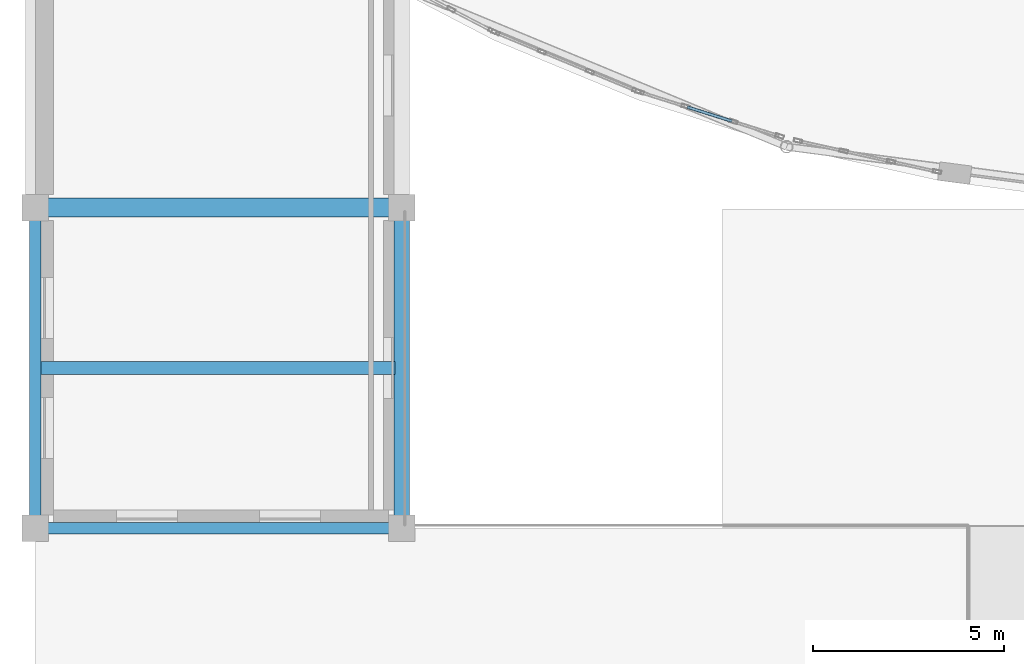
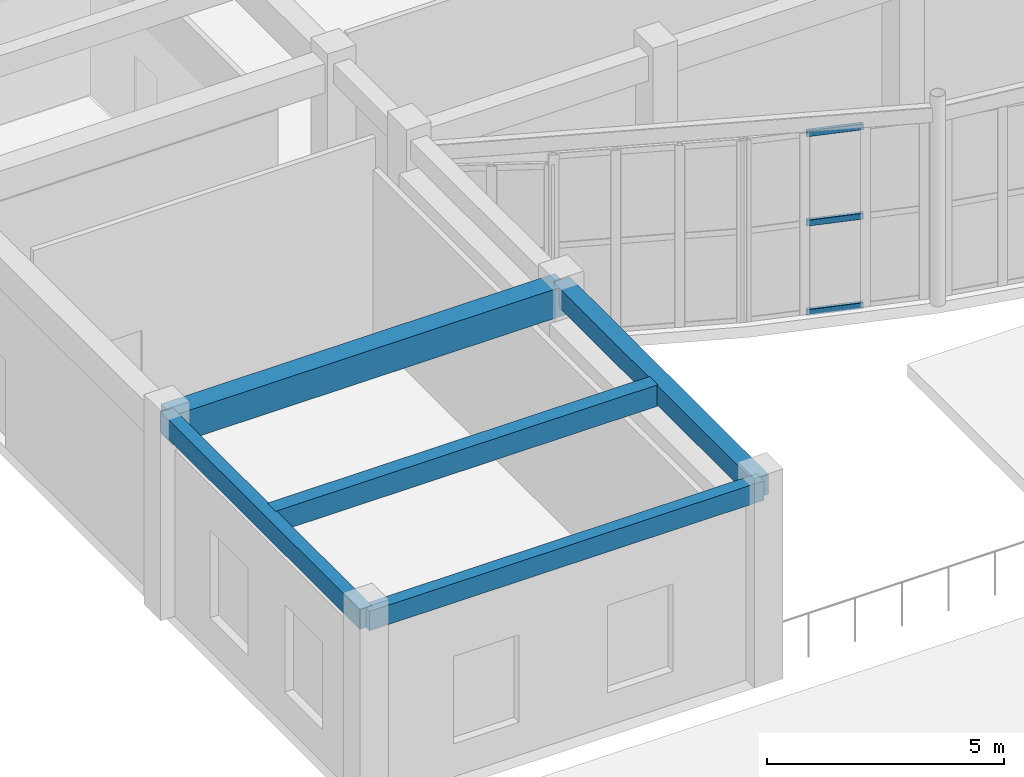
# One storey, part 6 of 98: 5 beams, 3 members, 1 element without a shape of its own.
"""IFC4 building model written with IfcOpenShell, lengths in metres."""

import ifcopenshell
import ifcopenshell.guid

model = None  # the IFC model being written
_history = None  # IfcOwnerHistory: only IFC2X3 demands one
_inside = {}  # id of a spatial element -> (the spatial element, [elements in it])
_under = {}  # id of a project, library or spatial element -> (it, [spatial elements below it])
_declared = {}  # id of a project -> (the project, [libraries it declares])
_typed = {}  # id of a type object -> (the type object, [elements of that type])
_made_of = {}  # id of a material, layer set ... -> (it, [elements and type objects made of it])


def new_model(schema):
    """Start an empty IFC model of exactly this schema.

    Asked for "IFC4X3", IfcOpenShell would pick the latest addendum, in which some entities
    have other attributes; the version numbers below select the first issue.
    IFC2X3 requires an IfcOwnerHistory on every rooted entity: one is made here for all.
    """
    global model, _history
    if schema == "IFC4X3":
        model = ifcopenshell.file(schema_version=(4, 3, 0, 0))
    else:
        model = ifcopenshell.file(schema=schema)
    _inside.clear()
    _under.clear()
    _declared.clear()
    _typed.clear()
    _made_of.clear()
    _history = None
    if model.schema == "IFC2X3":
        org = make("IfcOrganization", Name="unknown")
        user = make(
            "IfcPersonAndOrganization",
            ThePerson=make("IfcPerson", FamilyName="unknown"),
            TheOrganization=org,
        )
        app = make(
            "IfcApplication",
            ApplicationDeveloper=org,
            Version="unknown",
            ApplicationFullName="unknown",
            ApplicationIdentifier="unknown",
        )
        _history = make(
            "IfcOwnerHistory",
            OwningUser=user,
            OwningApplication=app,
            ChangeAction="ADDED",
            CreationDate=0,
        )
    return model


def make(cls, **values):
    """One entity of the class cls with the attributes given. An attribute that is None is left unset."""
    return model.create_entity(
        cls, **{name: value for name, value in values.items() if value is not None}
    )


def rooted(cls, **values):
    """An entity with a GlobalId (a new one), such as an element, a storey or a relation."""
    return make(cls, GlobalId=ifcopenshell.guid.new(), OwnerHistory=_history, **values)


def si_unit(unit_type, name, prefix=None):
    """IfcSIUnit, for example si_unit("LENGTHUNIT", "METRE", prefix="MILLI")."""
    return make("IfcSIUnit", UnitType=unit_type, Prefix=prefix, Name=name)


def assignment(units):
    """IfcUnitAssignment: the units of a project."""
    return None if units is None else make("IfcUnitAssignment", Units=units)


def point(xyz):
    """IfcCartesianPoint."""
    return None if xyz is None else make("IfcCartesianPoint", Coordinates=xyz)


def direction(xyz):
    """IfcDirection."""
    return None if xyz is None else make("IfcDirection", DirectionRatios=xyz)


def frame(location, z_axis=None, x_axis=None):
    """IfcAxis2Placement3D, a coordinate frame: its origin and axes. An axis left out is left unset."""
    return make(
        "IfcAxis2Placement3D",
        Location=point(location),
        Axis=direction(z_axis),
        RefDirection=direction(x_axis),
    )


def frame_2d(location, x_axis=None):
    """IfcAxis2Placement2D, a coordinate frame in the plane: its origin and x axis."""
    return make(
        "IfcAxis2Placement2D", Location=point(location), RefDirection=direction(x_axis)
    )


def origin():
    """The frame at (0, 0, 0) with its axes left unset."""
    return frame((0.0, 0.0, 0.0))


def origin_2d():
    """The frame at (0, 0) in the plane with its x axis left unset."""
    return frame_2d((0.0, 0.0))


def place(relative_to, where):
    """IfcLocalPlacement: puts the frame where relative to a parent placement (None: the world)."""
    return make(
        "IfcLocalPlacement", PlacementRelTo=relative_to, RelativePlacement=where
    )


def context(
    kind, dimensions, precision=None, world=None, true_north=None, identifier=None
):
    """IfcGeometricRepresentationContext, for example the 3D "Model" context."""
    return make(
        "IfcGeometricRepresentationContext",
        ContextIdentifier=identifier,
        ContextType=kind,
        CoordinateSpaceDimension=dimensions,
        Precision=precision,
        WorldCoordinateSystem=world,
        TrueNorth=true_north,
    )


def subcontext(parent, identifier, kind, view, scale=None):
    """IfcGeometricRepresentationSubContext, for example "Body" below "Model"."""
    return make(
        "IfcGeometricRepresentationSubContext",
        ContextIdentifier=identifier,
        ContextType=kind,
        ParentContext=parent,
        TargetScale=scale,
        TargetView=view,
    )


def project(units=None, contexts=None):
    """IfcProject with its units and contexts."""
    return rooted(
        "IfcProject",
        Name="project",
        RepresentationContexts=contexts,
        UnitsInContext=assignment(units),
    )


def spatial(cls, under=None, at=None, **own):
    """A site, building, storey or space (cls), placed at a placement, below another one or the project."""
    s = rooted(cls, ObjectPlacement=at, **own)
    if under is not None:
        _under.setdefault(under.id(), (under, []))[1].append(s)
    return s


def profile(cls, at=None, kind="AREA", **sizes):
    """A parametric profile (cls). Its sizes go by their IFC names, for example OverallWidth=200.0."""
    return make(cls, ProfileType=kind, Position=at, **sizes)


def rectangle(**sizes):
    """IfcRectangleProfileDef."""
    return profile("IfcRectangleProfileDef", **sizes)


def hollow_rectangle(**sizes):
    """IfcRectangleHollowProfileDef."""
    return profile("IfcRectangleHollowProfileDef", **sizes)


def extrude(swept, where, along, depth):
    """IfcExtrudedAreaSolid: the profile swept, set in the frame where, extruded along a direction by depth."""
    return make(
        "IfcExtrudedAreaSolid",
        SweptArea=swept,
        Position=where,
        ExtrudedDirection=direction(along),
        Depth=depth,
    )


def shape(context_of_items, identifier, shape_type, items):
    """IfcShapeRepresentation: the items that make up one representation, for example the "Body"."""
    return make(
        "IfcShapeRepresentation",
        ContextOfItems=context_of_items,
        RepresentationIdentifier=identifier,
        RepresentationType=shape_type,
        Items=items,
    )


def material(Name=None, Category=None):
    """IfcMaterial."""
    return make("IfcMaterial", Name=Name, Category=Category)


def layer(
    of_material, thickness, ventilated=None, Name=None, Category=None, Priority=None
):
    """IfcMaterialLayer: one layer of a wall or slab, of a material (None: an air gap)."""
    return make(
        "IfcMaterialLayer",
        Material=of_material,
        LayerThickness=thickness,
        IsVentilated=ventilated,
        Name=Name,
        Category=Category,
        Priority=Priority,
    )


def layer_set(layers, Name=None):
    """IfcMaterialLayerSet."""
    return make("IfcMaterialLayerSet", MaterialLayers=layers, LayerSetName=Name)


def material_profile(
    of_material, cross_section, Name=None, Category=None, Priority=None
):
    """IfcMaterialProfile: a cross section and its material."""
    return make(
        "IfcMaterialProfile",
        Name=Name,
        Material=of_material,
        Profile=cross_section,
        Priority=Priority,
        Category=Category,
    )


def profile_set(profiles, Name=None, composite=None):
    """IfcMaterialProfileSet."""
    return make(
        "IfcMaterialProfileSet",
        Name=Name,
        MaterialProfiles=profiles,
        CompositeProfile=composite,
    )


def made_of(thing, what):
    """Note that an element or type object is made of a material, layer set ...; save() writes the relation."""
    if what is not None:
        _made_of.setdefault(what.id(), (what, []))[1].append(thing)
    return thing


def type_object(cls, material=None, **own):
    """A type object (cls), such as IfcWallType, which elements share."""
    return made_of(rooted(cls, **own), material)


def element(
    cls,
    number,
    at=None,
    inside=None,
    cuts=None,
    type_object=None,
    material=None,
    context=None,
    identifier="Body",
    shape_type=None,
    held_by="IfcProductDefinitionShape",
    body=None,
    shapes=None,
    **own,
):
    """One element of the class cls, such as IfcWall. Its Tag is "e" and its number.

    at: its placement. inside: the storey or other place that contains it. cuts: it is an
    opening in that element (IfcRelVoidsElement). A single representation is given by context,
    identifier, shape_type and body (its items); several are given by shapes. held_by: the class
    of the entity that holds the representations. save() writes the other relations.
    """
    e = rooted(cls, Tag="e%d" % number, ObjectPlacement=at, **own)
    if body is not None:
        shapes = [shape(context, identifier, shape_type, body)]
    if shapes is not None:
        e.Representation = make(held_by, Representations=shapes)
    if inside is not None:
        _inside.setdefault(inside.id(), (inside, []))[1].append(e)
    if cuts is not None:
        rooted(
            "IfcRelVoidsElement", RelatingBuildingElement=cuts, RelatedOpeningElement=e
        )
    if type_object is not None:
        _typed.setdefault(type_object.id(), (type_object, []))[1].append(e)
    return made_of(e, material)


def aggregate(whole, parts):
    """IfcRelAggregates: a whole, such as a stair, and the parts it consists of."""
    return rooted("IfcRelAggregates", RelatingObject=whole, RelatedObjects=parts)


def save(model, path):
    """Write the relations noted so far, then the file.

    IfcRelAggregates (storeys below a building ...), IfcRelContainedInSpatialStructure (elements
    in a storey), IfcRelDefinesByType, IfcRelAssociatesMaterial and IfcRelDeclares: one each for
    every whole, place, type object, material and project.
    """
    for whole, parts in _under.values():
        aggregate(whole, parts)
    for where, things in _inside.values():
        rooted(
            "IfcRelContainedInSpatialStructure",
            RelatedElements=things,
            RelatingStructure=where,
        )
    for kind, things in _typed.values():
        rooted("IfcRelDefinesByType", RelatedObjects=things, RelatingType=kind)
    for what, things in _made_of.values():
        rooted("IfcRelAssociatesMaterial", RelatedObjects=things, RelatingMaterial=what)
    for by, libraries in _declared.values():
        rooted("IfcRelDeclares", RelatingContext=by, RelatedDefinitions=libraries)
    model.write(path)


model = new_model("IFC4")

# Units and contexts
model_context = context("Model", 3, precision=1e-05, world=origin(), true_north=direction((0.0, 1.0)))
body_context = subcontext(model_context, "Body", "Model", "MODEL_VIEW")
ifc_project = project(units=[si_unit("LENGTHUNIT", "METRE"), si_unit("AREAUNIT", "SQUARE_METRE"), si_unit("VOLUMEUNIT", "CUBIC_METRE"), si_unit("PLANEANGLEUNIT", "RADIAN"), si_unit("MASSUNIT", "GRAM", prefix="KILO")], contexts=[model_context])

# Site, building, storey
site_placement = place(None, origin())
site = spatial("IfcSite", under=ifc_project, at=site_placement, CompositionType="ELEMENT")
building_placement = place(site_placement, origin())
building = spatial("IfcBuilding", under=site, at=building_placement, Name="Tarnavel Promenade Courthouse", CompositionType="ELEMENT")
storey_placement = place(building_placement, origin())
storey = spatial("IfcBuildingStorey", under=building, at=storey_placement, Name="L01", CompositionType="ELEMENT", Elevation=0.0)

# Beams
ifc_material_1 = material(Name="Concrete C40/50", Category="concrete")
ifc_material_profile_1 = material_profile(ifc_material_1, rectangle(XDim=0.35009765625, YDim=0.550048828125, at=origin_2d()), Name="PT 350x550")
ifc_profile_set_1 = profile_set([ifc_material_profile_1], Name="Concrete C40/50")
beam_type_1 = type_object("IfcBeamType", Name="Concrete C40/50 BM-PT-350x550 (PT 350x550)", PredefinedType="JOIST", material=ifc_profile_set_1)
beam_1_placement = place(storey_placement, frame((0.1201171875, 4.199951171875, 4.820068359375), z_axis=(1.0, 0.0, 0.0), x_axis=(0.0, 1.0, 0.0)))
element("IfcBeam", 1, at=beam_1_placement, inside=storey, type_object=beam_type_1, Name="L01 Secondary Floor Rib 0890", PredefinedType="JOIST", context=body_context, shape_type="SweptSolid", body=[
    extrude(rectangle(XDim=0.35009765625, YDim=0.550048828125, at=origin_2d()), origin(), (0.0, 0.0, 1.0), 9.309814453125),
])
ifc_material_profile_2 = material_profile(ifc_material_1, rectangle(XDim=0.39990234375, YDim=0.5, at=origin_2d()), Name="RC 400x500")
ifc_profile_set_2 = profile_set([ifc_material_profile_2], Name="Concrete C40/50")
beam_type_2 = type_object("IfcBeamType", Name="Concrete C40/50 BM-RC-400x500 (RC 400x500)", PredefinedType="BEAM", material=ifc_profile_set_2)
beam_2_placement = place(storey_placement, frame((9.60009765625, 0.0, 4.844970703125), z_axis=(0.0, 1.0, 0.0), x_axis=(-1.0, 0.0, 0.0)))
element("IfcBeam", 2, at=beam_2_placement, inside=storey, type_object=beam_type_2, Name="L01 Transverse Girder 0746", PredefinedType="BEAM", context=body_context, shape_type="SweptSolid", body=[
    extrude(rectangle(XDim=0.39990234375, YDim=0.5, at=origin_2d()), origin(), (0.0, 0.0, 1.0), 8.39990234375),
])
ifc_material_profile_3 = material_profile(ifc_material_1, rectangle(XDim=0.5, YDim=0.75, at=origin_2d()), Name="RC 500x750")
ifc_profile_set_3 = profile_set([ifc_material_profile_3], Name="Concrete C40/50")
beam_type_3 = type_object("IfcBeamType", Name="Concrete C40/50 BM-RC-500x750 (RC 500x750)", PredefinedType="T_BEAM", material=ifc_profile_set_3)
beam_3_placement = place(storey_placement, frame((0.0, 8.39990234375, 4.719970703125), z_axis=(1.0, 0.0, 0.0), x_axis=(0.0, 1.0, 0.0)))
element("IfcBeam", 3, at=beam_3_placement, inside=storey, type_object=beam_type_3, Name="L01 Primary Longitudinal Beam 0569", PredefinedType="T_BEAM", context=body_context, shape_type="SweptSolid", body=[
    extrude(rectangle(XDim=0.5, YDim=0.75, at=origin_2d()), origin(), (0.0, 0.0, 1.0), 9.60009765625),
])
ifc_material_profile_4 = material_profile(ifc_material_1, rectangle(XDim=0.300048828125, YDim=0.5, at=origin_2d()), Name="RC 300x500")
ifc_profile_set_4 = profile_set([ifc_material_profile_4], Name="Concrete C40/50")
beam_type_4 = type_object("IfcBeamType", Name="Concrete C40/50 BM-SP-300x500 (RC 300x500)", PredefinedType="SPANDREL", material=ifc_profile_set_4)
beam_4_placement = place(storey_placement, frame((0.0, 0.0, 4.844970703125), z_axis=(1.0, 0.0, 0.0), x_axis=(0.0, 1.0, 0.0)))
element("IfcBeam", 4, at=beam_4_placement, inside=storey, type_object=beam_type_4, Name="L01 Primary Longitudinal Beam 0558", PredefinedType="SPANDREL", context=body_context, shape_type="SweptSolid", body=[
    extrude(rectangle(XDim=0.300048828125, YDim=0.5, at=origin_2d()), origin(), (0.0, 0.0, 1.0), 9.60009765625),
])
beam_5_placement = place(storey_placement, frame((0.0, 0.0, 4.844970703125), z_axis=(0.0, 1.0, 0.0), x_axis=(-1.0, 0.0, 0.0)))
element("IfcBeam", 5, at=beam_5_placement, inside=storey, type_object=beam_type_4, Name="L01 Transverse Girder 0735", PredefinedType="SPANDREL", context=body_context, shape_type="SweptSolid", body=[
    extrude(rectangle(XDim=0.300048828125, YDim=0.5, at=origin_2d()), origin(), (0.0, 0.0, 1.0), 8.39990234375),
])

# Curtain wall, members
ifc_material_2 = material(Name="Thermally Broken Anodised Aluminium Curtain Wall System", Category="aluminium")
ifc_layer = layer(ifc_material_2, 0.219970703125)
ifc_layer_set = layer_set([ifc_layer], Name="Thermally Broken Anodised Aluminium Curtain Wall System")
curtain_wall_type = type_object("IfcCurtainWallType", Name="Thermally Broken Aluminium Triple-Glazed Curtain Wall CW-DRUM", PredefinedType="NOTDEFINED", material=ifc_layer_set)
curtain_wall_placement = place(storey_placement, origin())
curtain_wall = element("IfcCurtainWall", 6, at=curtain_wall_placement, inside=storey, type_object=curtain_wall_type, Name="L01 Public Hall Drum Curtain Wall 003", PredefinedType="NOTDEFINED")
ifc_material_3 = material(Name="Thermally Broken Anodised Aluminium Frame", Category="aluminium")
ifc_material_profile_5 = material_profile(ifc_material_3, hollow_rectangle(XDim=0.080078125, YDim=0.159912109375, WallThickness=0.0048828125, InnerFilletRadius=0.0048828125, OuterFilletRadius=0.010009765625, at=origin_2d()), Name="CWT 160x80x5")
ifc_profile_set_5 = profile_set([ifc_material_profile_5], Name="Thermally Broken Anodised Aluminium Frame")
member_type = type_object("IfcMemberType", Name="Thermally Broken Anodised Aluminium CWT-145 (CWT 160x80x5)", PredefinedType="USERDEFINED", material=ifc_profile_set_5)
member_1_placement = place(storey_placement, frame((17.087890625, 11.0341796875, 0.0400390625), z_axis=(0.953748549194, -0.300605563673, 0.0), x_axis=(0.300605563673, 0.953748549194, 0.0)))
member_1 = element("IfcMember", 7, at=member_1_placement, type_object=member_type, Name="CW-01 transom 2.1", ObjectType="TRANSOM", PredefinedType="USERDEFINED", context=body_context, shape_type="SweptSolid", body=[
    extrude(hollow_rectangle(XDim=0.080078125, YDim=0.159912109375, WallThickness=0.0048828125, InnerFilletRadius=0.0048828125, OuterFilletRadius=0.010009765625, at=origin_2d()), origin(), (0.0, 0.0, 1.0), 1.222412109375),
])
member_2_placement = place(storey_placement, frame((17.087890625, 11.0341796875, 2.340087890625), z_axis=(0.953748549194, -0.300605563673, 0.0), x_axis=(0.300605563673, 0.953748549194, 0.0)))
member_2 = element("IfcMember", 8, at=member_2_placement, type_object=member_type, Name="CW-01 transom 2.2", ObjectType="TRANSOM", PredefinedType="USERDEFINED", context=body_context, shape_type="SweptSolid", body=[
    extrude(hollow_rectangle(XDim=0.080078125, YDim=0.159912109375, WallThickness=0.0048828125, InnerFilletRadius=0.0048828125, OuterFilletRadius=0.010009765625, at=origin_2d()), origin(), (0.0, 0.0, 1.0), 1.222412109375),
])
member_3_placement = place(storey_placement, frame((17.087890625, 11.0341796875, 4.639892578125), z_axis=(0.953748549194, -0.300605563673, 0.0), x_axis=(0.300605563673, 0.953748549194, 0.0)))
member_3 = element("IfcMember", 9, at=member_3_placement, type_object=member_type, Name="CW-01 transom 2.3", ObjectType="TRANSOM", PredefinedType="USERDEFINED", context=body_context, shape_type="SweptSolid", body=[
    extrude(hollow_rectangle(XDim=0.080078125, YDim=0.159912109375, WallThickness=0.0048828125, InnerFilletRadius=0.0048828125, OuterFilletRadius=0.010009765625, at=origin_2d()), origin(), (0.0, 0.0, 1.0), 1.222412109375),
])
aggregate(curtain_wall, [member_1, member_2, member_3])

save(model, "model.ifc")
